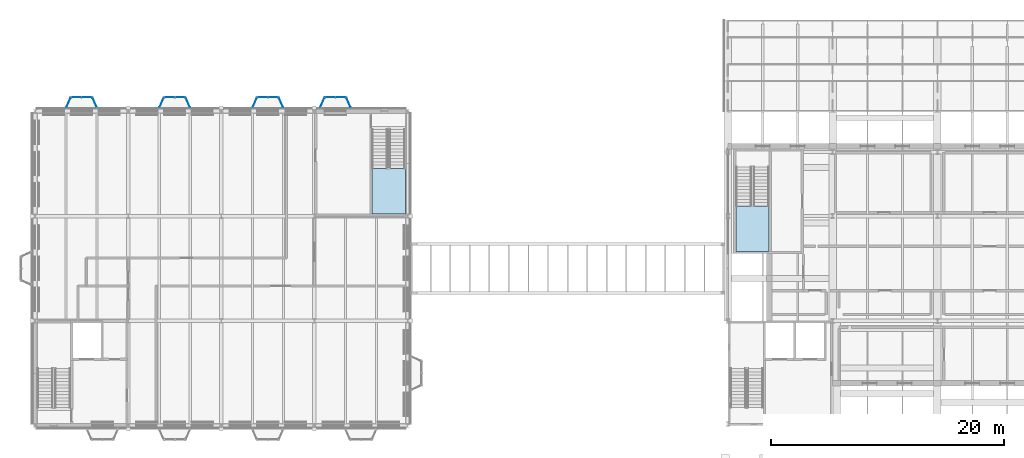
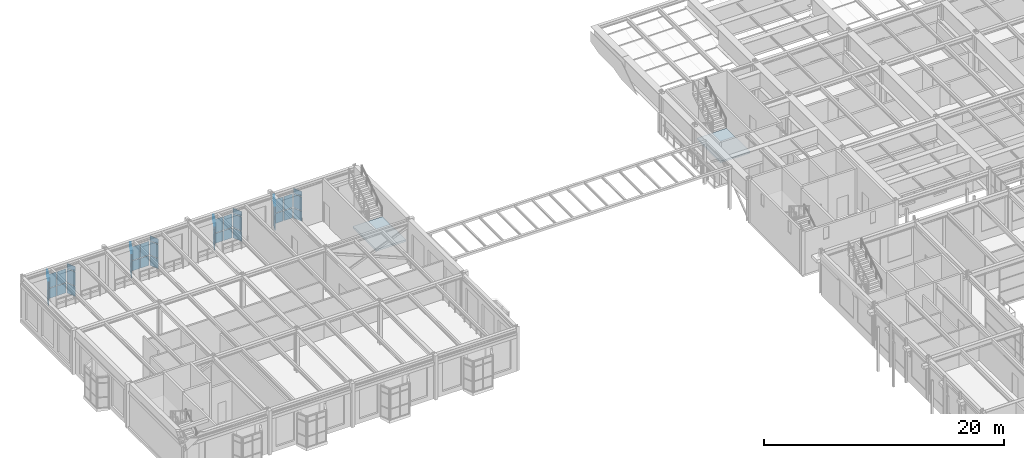
# One storey, part 87 of 153: 40 plates, 2 slabs, 14 elements without a shape of their own.
"""IFC4 building model written with IfcOpenShell, lengths in metres."""

from ifc_helpers import new_model, si_unit, direction, frame, origin, origin_2d, place, context, subcontext, project, spatial, polyline, rectangle, outline, extrude, material, layer, layer_set, type_object, element, aggregate, save


model = new_model("IFC4")

# Units and contexts
model_context = context("Model", 3, precision=1e-05, world=origin(), true_north=direction((0.0, 1.0)))
body_context = subcontext(model_context, "Body", "Model", "MODEL_VIEW")
ifc_project = project(units=[si_unit("LENGTHUNIT", "METRE"), si_unit("AREAUNIT", "SQUARE_METRE"), si_unit("VOLUMEUNIT", "CUBIC_METRE"), si_unit("PLANEANGLEUNIT", "RADIAN"), si_unit("MASSUNIT", "GRAM", prefix="KILO")], contexts=[model_context])

# Site, building, storey
site_placement = place(None, origin())
site = spatial("IfcSite", under=ifc_project, at=site_placement, CompositionType="ELEMENT")
building_placement = place(site_placement, origin())
building = spatial("IfcBuilding", under=site, at=building_placement, Name="Kallimachos Central Library", CompositionType="ELEMENT")
storey_placement = place(building_placement, frame((0.0, 0.0, 5.39990234375)))
storey = spatial("IfcBuildingStorey", under=building, at=storey_placement, Name="L01", CompositionType="ELEMENT", Elevation=5.39990234375)

# Curtain wall, plates
ifc_material_1 = material(Name="Laminated glass in anodised aluminium", Category="aluminium")
curtain_wall_type = type_object("IfcCurtainWallType", Name="Foyer curtain wall", PredefinedType="NOTDEFINED", material=ifc_material_1)
curtain_wall_1_placement = place(storey_placement, origin())
curtain_wall_1 = element("IfcCurtainWall", 1, at=curtain_wall_1_placement, inside=storey, type_object=curtain_wall_type, Name="Tribune bay return west", PredefinedType="NOTDEFINED")
ifc_material_2 = material(Name="Laminated glass", Category="glass")
ifc_layer_1 = layer(ifc_material_2, 0.028076171875)
ifc_layer_set_1 = layer_set([ifc_layer_1], Name="Curtain wall glass panel 28")
plate_type = type_object("IfcPlateType", Name="Curtain wall glass panel 28", PredefinedType="CURTAIN_PANEL", material=ifc_layer_set_1)
plate_1_placement = place(storey_placement, frame((8.875, 114.75, 0.2099609375), z_axis=(0.0, 0.0, 1.0), x_axis=(0.40613846606, 0.913811548617, 0.0)))
plate_1 = element("IfcPlate", 2, at=plate_1_placement, type_object=plate_type, Name="CW panel 1.1", PredefinedType="CURTAIN_PANEL", context=body_context, shape_type="SweptSolid", body=[
    extrude(rectangle(XDim=0.864990234375, YDim=0.028076171875, at=origin_2d()), origin(), (0.0, 0.0, 1.0), 1.010009765625),
])
plate_2_placement = place(storey_placement, frame((8.875, 114.75, 1.2802734375), z_axis=(0.0, 0.0, 1.0), x_axis=(0.40613846606, 0.913811548617, 0.0)))
plate_2 = element("IfcPlate", 3, at=plate_2_placement, type_object=plate_type, Name="CW panel 1.2", PredefinedType="CURTAIN_PANEL", context=body_context, shape_type="SweptSolid", body=[
    extrude(rectangle(XDim=0.864990234375, YDim=0.028076171875, at=origin_2d()), origin(), (0.0, 0.0, 1.0), 1.389892578125),
])
plate_3_placement = place(storey_placement, frame((8.875, 114.75, 2.72998046875), z_axis=(0.0, 0.0, 1.0), x_axis=(0.40613846606, 0.913811548617, 0.0)))
plate_3 = element("IfcPlate", 4, at=plate_3_placement, type_object=plate_type, Name="CW panel 1.3", PredefinedType="CURTAIN_PANEL", context=body_context, shape_type="SweptSolid", body=[
    extrude(rectangle(XDim=0.864990234375, YDim=0.028076171875, at=origin_2d()), origin(), (0.0, 0.0, 1.0), 0.510009765625),
])
aggregate(curtain_wall_1, [plate_1, plate_2, plate_3])

curtain_wall_2_placement = place(storey_placement, origin())
curtain_wall_2 = element("IfcCurtainWall", 5, at=curtain_wall_2_placement, inside=storey, type_object=curtain_wall_type, Name="Tribune bay front", PredefinedType="NOTDEFINED")
plate_4_placement = place(storey_placement, frame((9.552490234375, 115.199951171875, 0.2099609375), z_axis=(0.0, 0.0, 1.0), x_axis=(1.0, 0.0, 0.0)))
plate_4 = element("IfcPlate", 6, at=plate_4_placement, type_object=plate_type, Name="CW panel 1.1", PredefinedType="CURTAIN_PANEL", context=body_context, shape_type="SweptSolid", body=[
    extrude(rectangle(XDim=0.8349609375, YDim=0.028076171875, at=origin_2d()), origin(), (0.0, 0.0, 1.0), 1.010009765625),
])
plate_5_placement = place(storey_placement, frame((9.552490234375, 115.199951171875, 1.2802734375), z_axis=(0.0, 0.0, 1.0), x_axis=(1.0, 0.0, 0.0)))
plate_5 = element("IfcPlate", 7, at=plate_5_placement, type_object=plate_type, Name="CW panel 1.2", PredefinedType="CURTAIN_PANEL", context=body_context, shape_type="SweptSolid", body=[
    extrude(rectangle(XDim=0.8349609375, YDim=0.028076171875, at=origin_2d()), origin(), (0.0, 0.0, 1.0), 1.389892578125),
])
plate_6_placement = place(storey_placement, frame((10.447509765625, 115.199951171875, 0.2099609375), z_axis=(0.0, 0.0, 1.0), x_axis=(1.0, 0.0, 0.0)))
plate_6 = element("IfcPlate", 8, at=plate_6_placement, type_object=plate_type, Name="CW panel 2.1", PredefinedType="CURTAIN_PANEL", context=body_context, shape_type="SweptSolid", body=[
    extrude(rectangle(XDim=0.8349609375, YDim=0.028076171875, at=origin_2d()), origin(), (0.0, 0.0, 1.0), 1.010009765625),
])
plate_7_placement = place(storey_placement, frame((10.447509765625, 115.199951171875, 1.2802734375), z_axis=(0.0, 0.0, 1.0), x_axis=(1.0, 0.0, 0.0)))
plate_7 = element("IfcPlate", 9, at=plate_7_placement, type_object=plate_type, Name="CW panel 2.2", PredefinedType="CURTAIN_PANEL", context=body_context, shape_type="SweptSolid", body=[
    extrude(rectangle(XDim=0.8349609375, YDim=0.028076171875, at=origin_2d()), origin(), (0.0, 0.0, 1.0), 1.389892578125),
])
aggregate(curtain_wall_2, [plate_4, plate_5, plate_6, plate_7])

curtain_wall_3_placement = place(storey_placement, origin())
curtain_wall_3 = element("IfcCurtainWall", 10, at=curtain_wall_3_placement, inside=storey, type_object=curtain_wall_type, Name="Tribune bay return east", PredefinedType="NOTDEFINED")
plate_8_placement = place(storey_placement, frame((11.125, 114.75, 0.2099609375), z_axis=(0.0, 0.0, 1.0), x_axis=(0.40613846606, -0.913811548617, 0.0)))
plate_8 = element("IfcPlate", 11, at=plate_8_placement, type_object=plate_type, Name="CW panel 1.1", PredefinedType="CURTAIN_PANEL", context=body_context, shape_type="SweptSolid", body=[
    extrude(rectangle(XDim=0.864990234375, YDim=0.028076171875, at=origin_2d()), origin(), (0.0, 0.0, 1.0), 1.010009765625),
])
plate_9_placement = place(storey_placement, frame((11.125, 114.75, 1.2802734375), z_axis=(0.0, 0.0, 1.0), x_axis=(0.40613846606, -0.913811548617, 0.0)))
plate_9 = element("IfcPlate", 12, at=plate_9_placement, type_object=plate_type, Name="CW panel 1.2", PredefinedType="CURTAIN_PANEL", context=body_context, shape_type="SweptSolid", body=[
    extrude(rectangle(XDim=0.864990234375, YDim=0.028076171875, at=origin_2d()), origin(), (0.0, 0.0, 1.0), 1.389892578125),
])
plate_10_placement = place(storey_placement, frame((11.125, 114.75, 2.72998046875), z_axis=(0.0, 0.0, 1.0), x_axis=(0.40613846606, -0.913811548617, 0.0)))
plate_10 = element("IfcPlate", 13, at=plate_10_placement, type_object=plate_type, Name="CW panel 1.3", PredefinedType="CURTAIN_PANEL", context=body_context, shape_type="SweptSolid", body=[
    extrude(rectangle(XDim=0.864990234375, YDim=0.028076171875, at=origin_2d()), origin(), (0.0, 0.0, 1.0), 0.510009765625),
])
aggregate(curtain_wall_3, [plate_8, plate_9, plate_10])

curtain_wall_4_placement = place(storey_placement, origin())
curtain_wall_4 = element("IfcCurtainWall", 14, at=curtain_wall_4_placement, inside=storey, type_object=curtain_wall_type, Name="Tribune bay return west", PredefinedType="NOTDEFINED")
plate_11_placement = place(storey_placement, frame((16.875, 114.75, 0.2099609375), z_axis=(0.0, 0.0, 1.0), x_axis=(0.40613846606, 0.913811548617, 0.0)))
plate_11 = element("IfcPlate", 15, at=plate_11_placement, type_object=plate_type, Name="CW panel 1.1", PredefinedType="CURTAIN_PANEL", context=body_context, shape_type="SweptSolid", body=[
    extrude(rectangle(XDim=0.864990234375, YDim=0.028076171875, at=origin_2d()), origin(), (0.0, 0.0, 1.0), 1.010009765625),
])
plate_12_placement = place(storey_placement, frame((16.875, 114.75, 1.2802734375), z_axis=(0.0, 0.0, 1.0), x_axis=(0.40613846606, 0.913811548617, 0.0)))
plate_12 = element("IfcPlate", 16, at=plate_12_placement, type_object=plate_type, Name="CW panel 1.2", PredefinedType="CURTAIN_PANEL", context=body_context, shape_type="SweptSolid", body=[
    extrude(rectangle(XDim=0.864990234375, YDim=0.028076171875, at=origin_2d()), origin(), (0.0, 0.0, 1.0), 1.389892578125),
])
plate_13_placement = place(storey_placement, frame((16.875, 114.75, 2.72998046875), z_axis=(0.0, 0.0, 1.0), x_axis=(0.40613846606, 0.913811548617, 0.0)))
plate_13 = element("IfcPlate", 17, at=plate_13_placement, type_object=plate_type, Name="CW panel 1.3", PredefinedType="CURTAIN_PANEL", context=body_context, shape_type="SweptSolid", body=[
    extrude(rectangle(XDim=0.864990234375, YDim=0.028076171875, at=origin_2d()), origin(), (0.0, 0.0, 1.0), 0.510009765625),
])
aggregate(curtain_wall_4, [plate_11, plate_12, plate_13])

curtain_wall_5_placement = place(storey_placement, origin())
curtain_wall_5 = element("IfcCurtainWall", 18, at=curtain_wall_5_placement, inside=storey, type_object=curtain_wall_type, Name="Tribune bay front", PredefinedType="NOTDEFINED")
plate_14_placement = place(storey_placement, frame((17.552490234375, 115.199951171875, 0.2099609375), z_axis=(0.0, 0.0, 1.0), x_axis=(1.0, 0.0, 0.0)))
plate_14 = element("IfcPlate", 19, at=plate_14_placement, type_object=plate_type, Name="CW panel 1.1", PredefinedType="CURTAIN_PANEL", context=body_context, shape_type="SweptSolid", body=[
    extrude(rectangle(XDim=0.8349609375, YDim=0.028076171875, at=origin_2d()), origin(), (0.0, 0.0, 1.0), 1.010009765625),
])
plate_15_placement = place(storey_placement, frame((17.552490234375, 115.199951171875, 1.2802734375), z_axis=(0.0, 0.0, 1.0), x_axis=(1.0, 0.0, 0.0)))
plate_15 = element("IfcPlate", 20, at=plate_15_placement, type_object=plate_type, Name="CW panel 1.2", PredefinedType="CURTAIN_PANEL", context=body_context, shape_type="SweptSolid", body=[
    extrude(rectangle(XDim=0.8349609375, YDim=0.028076171875, at=origin_2d()), origin(), (0.0, 0.0, 1.0), 1.389892578125),
])
plate_16_placement = place(storey_placement, frame((18.447509765625, 115.199951171875, 0.2099609375), z_axis=(0.0, 0.0, 1.0), x_axis=(1.0, 0.0, 0.0)))
plate_16 = element("IfcPlate", 21, at=plate_16_placement, type_object=plate_type, Name="CW panel 2.1", PredefinedType="CURTAIN_PANEL", context=body_context, shape_type="SweptSolid", body=[
    extrude(rectangle(XDim=0.8349609375, YDim=0.028076171875, at=origin_2d()), origin(), (0.0, 0.0, 1.0), 1.010009765625),
])
plate_17_placement = place(storey_placement, frame((18.447509765625, 115.199951171875, 1.2802734375), z_axis=(0.0, 0.0, 1.0), x_axis=(1.0, 0.0, 0.0)))
plate_17 = element("IfcPlate", 22, at=plate_17_placement, type_object=plate_type, Name="CW panel 2.2", PredefinedType="CURTAIN_PANEL", context=body_context, shape_type="SweptSolid", body=[
    extrude(rectangle(XDim=0.8349609375, YDim=0.028076171875, at=origin_2d()), origin(), (0.0, 0.0, 1.0), 1.389892578125),
])
aggregate(curtain_wall_5, [plate_14, plate_15, plate_16, plate_17])

curtain_wall_6_placement = place(storey_placement, origin())
curtain_wall_6 = element("IfcCurtainWall", 23, at=curtain_wall_6_placement, inside=storey, type_object=curtain_wall_type, Name="Tribune bay return east", PredefinedType="NOTDEFINED")
plate_18_placement = place(storey_placement, frame((19.125, 114.75, 0.2099609375), z_axis=(0.0, 0.0, 1.0), x_axis=(0.40613846606, -0.913811548617, 0.0)))
plate_18 = element("IfcPlate", 24, at=plate_18_placement, type_object=plate_type, Name="CW panel 1.1", PredefinedType="CURTAIN_PANEL", context=body_context, shape_type="SweptSolid", body=[
    extrude(rectangle(XDim=0.864990234375, YDim=0.028076171875, at=origin_2d()), origin(), (0.0, 0.0, 1.0), 1.010009765625),
])
plate_19_placement = place(storey_placement, frame((19.125, 114.75, 1.2802734375), z_axis=(0.0, 0.0, 1.0), x_axis=(0.40613846606, -0.913811548617, 0.0)))
plate_19 = element("IfcPlate", 25, at=plate_19_placement, type_object=plate_type, Name="CW panel 1.2", PredefinedType="CURTAIN_PANEL", context=body_context, shape_type="SweptSolid", body=[
    extrude(rectangle(XDim=0.864990234375, YDim=0.028076171875, at=origin_2d()), origin(), (0.0, 0.0, 1.0), 1.389892578125),
])
plate_20_placement = place(storey_placement, frame((19.125, 114.75, 2.72998046875), z_axis=(0.0, 0.0, 1.0), x_axis=(0.40613846606, -0.913811548617, 0.0)))
plate_20 = element("IfcPlate", 26, at=plate_20_placement, type_object=plate_type, Name="CW panel 1.3", PredefinedType="CURTAIN_PANEL", context=body_context, shape_type="SweptSolid", body=[
    extrude(rectangle(XDim=0.864990234375, YDim=0.028076171875, at=origin_2d()), origin(), (0.0, 0.0, 1.0), 0.510009765625),
])
aggregate(curtain_wall_6, [plate_18, plate_19, plate_20])

curtain_wall_7_placement = place(storey_placement, origin())
curtain_wall_7 = element("IfcCurtainWall", 27, at=curtain_wall_7_placement, inside=storey, type_object=curtain_wall_type, Name="Tribune bay return west", PredefinedType="NOTDEFINED")
plate_21_placement = place(storey_placement, frame((24.875, 114.75, 0.2099609375), z_axis=(0.0, 0.0, 1.0), x_axis=(0.40613846606, 0.913811548617, 0.0)))
plate_21 = element("IfcPlate", 28, at=plate_21_placement, type_object=plate_type, Name="CW panel 1.1", PredefinedType="CURTAIN_PANEL", context=body_context, shape_type="SweptSolid", body=[
    extrude(rectangle(XDim=0.864990234375, YDim=0.028076171875, at=origin_2d()), origin(), (0.0, 0.0, 1.0), 1.010009765625),
])
plate_22_placement = place(storey_placement, frame((24.875, 114.75, 1.2802734375), z_axis=(0.0, 0.0, 1.0), x_axis=(0.40613846606, 0.913811548617, 0.0)))
plate_22 = element("IfcPlate", 29, at=plate_22_placement, type_object=plate_type, Name="CW panel 1.2", PredefinedType="CURTAIN_PANEL", context=body_context, shape_type="SweptSolid", body=[
    extrude(rectangle(XDim=0.864990234375, YDim=0.028076171875, at=origin_2d()), origin(), (0.0, 0.0, 1.0), 1.389892578125),
])
plate_23_placement = place(storey_placement, frame((24.875, 114.75, 2.72998046875), z_axis=(0.0, 0.0, 1.0), x_axis=(0.40613846606, 0.913811548617, 0.0)))
plate_23 = element("IfcPlate", 30, at=plate_23_placement, type_object=plate_type, Name="CW panel 1.3", PredefinedType="CURTAIN_PANEL", context=body_context, shape_type="SweptSolid", body=[
    extrude(rectangle(XDim=0.864990234375, YDim=0.028076171875, at=origin_2d()), origin(), (0.0, 0.0, 1.0), 0.510009765625),
])
aggregate(curtain_wall_7, [plate_21, plate_22, plate_23])

curtain_wall_8_placement = place(storey_placement, origin())
curtain_wall_8 = element("IfcCurtainWall", 31, at=curtain_wall_8_placement, inside=storey, type_object=curtain_wall_type, Name="Tribune bay front", PredefinedType="NOTDEFINED")
plate_24_placement = place(storey_placement, frame((25.552490234375, 115.199951171875, 0.2099609375), z_axis=(0.0, 0.0, 1.0), x_axis=(1.0, 0.0, 0.0)))
plate_24 = element("IfcPlate", 32, at=plate_24_placement, type_object=plate_type, Name="CW panel 1.1", PredefinedType="CURTAIN_PANEL", context=body_context, shape_type="SweptSolid", body=[
    extrude(rectangle(XDim=0.8349609375, YDim=0.028076171875, at=origin_2d()), origin(), (0.0, 0.0, 1.0), 1.010009765625),
])
plate_25_placement = place(storey_placement, frame((25.552490234375, 115.199951171875, 1.2802734375), z_axis=(0.0, 0.0, 1.0), x_axis=(1.0, 0.0, 0.0)))
plate_25 = element("IfcPlate", 33, at=plate_25_placement, type_object=plate_type, Name="CW panel 1.2", PredefinedType="CURTAIN_PANEL", context=body_context, shape_type="SweptSolid", body=[
    extrude(rectangle(XDim=0.8349609375, YDim=0.028076171875, at=origin_2d()), origin(), (0.0, 0.0, 1.0), 1.389892578125),
])
plate_26_placement = place(storey_placement, frame((26.447509765625, 115.199951171875, 0.2099609375), z_axis=(0.0, 0.0, 1.0), x_axis=(1.0, 0.0, 0.0)))
plate_26 = element("IfcPlate", 34, at=plate_26_placement, type_object=plate_type, Name="CW panel 2.1", PredefinedType="CURTAIN_PANEL", context=body_context, shape_type="SweptSolid", body=[
    extrude(rectangle(XDim=0.8349609375, YDim=0.028076171875, at=origin_2d()), origin(), (0.0, 0.0, 1.0), 1.010009765625),
])
plate_27_placement = place(storey_placement, frame((26.447509765625, 115.199951171875, 1.2802734375), z_axis=(0.0, 0.0, 1.0), x_axis=(1.0, 0.0, 0.0)))
plate_27 = element("IfcPlate", 35, at=plate_27_placement, type_object=plate_type, Name="CW panel 2.2", PredefinedType="CURTAIN_PANEL", context=body_context, shape_type="SweptSolid", body=[
    extrude(rectangle(XDim=0.8349609375, YDim=0.028076171875, at=origin_2d()), origin(), (0.0, 0.0, 1.0), 1.389892578125),
])
aggregate(curtain_wall_8, [plate_24, plate_25, plate_26, plate_27])

curtain_wall_9_placement = place(storey_placement, origin())
curtain_wall_9 = element("IfcCurtainWall", 36, at=curtain_wall_9_placement, inside=storey, type_object=curtain_wall_type, Name="Tribune bay return east", PredefinedType="NOTDEFINED")
plate_28_placement = place(storey_placement, frame((27.125, 114.75, 0.2099609375), z_axis=(0.0, 0.0, 1.0), x_axis=(0.40613846606, -0.913811548617, 0.0)))
plate_28 = element("IfcPlate", 37, at=plate_28_placement, type_object=plate_type, Name="CW panel 1.1", PredefinedType="CURTAIN_PANEL", context=body_context, shape_type="SweptSolid", body=[
    extrude(rectangle(XDim=0.864990234375, YDim=0.028076171875, at=origin_2d()), origin(), (0.0, 0.0, 1.0), 1.010009765625),
])
plate_29_placement = place(storey_placement, frame((27.125, 114.75, 1.2802734375), z_axis=(0.0, 0.0, 1.0), x_axis=(0.40613846606, -0.913811548617, 0.0)))
plate_29 = element("IfcPlate", 38, at=plate_29_placement, type_object=plate_type, Name="CW panel 1.2", PredefinedType="CURTAIN_PANEL", context=body_context, shape_type="SweptSolid", body=[
    extrude(rectangle(XDim=0.864990234375, YDim=0.028076171875, at=origin_2d()), origin(), (0.0, 0.0, 1.0), 1.389892578125),
])
plate_30_placement = place(storey_placement, frame((27.125, 114.75, 2.72998046875), z_axis=(0.0, 0.0, 1.0), x_axis=(0.40613846606, -0.913811548617, 0.0)))
plate_30 = element("IfcPlate", 39, at=plate_30_placement, type_object=plate_type, Name="CW panel 1.3", PredefinedType="CURTAIN_PANEL", context=body_context, shape_type="SweptSolid", body=[
    extrude(rectangle(XDim=0.864990234375, YDim=0.028076171875, at=origin_2d()), origin(), (0.0, 0.0, 1.0), 0.510009765625),
])
aggregate(curtain_wall_9, [plate_28, plate_29, plate_30])

curtain_wall_10_placement = place(storey_placement, origin())
curtain_wall_10 = element("IfcCurtainWall", 40, at=curtain_wall_10_placement, inside=storey, type_object=curtain_wall_type, Name="Tribune bay return west", PredefinedType="NOTDEFINED")
plate_31_placement = place(storey_placement, frame((30.675048828125, 114.75, 0.2099609375), z_axis=(0.0, 0.0, 1.0), x_axis=(0.40613846606, 0.913811548617, 0.0)))
plate_31 = element("IfcPlate", 41, at=plate_31_placement, type_object=plate_type, Name="CW panel 1.1", PredefinedType="CURTAIN_PANEL", context=body_context, shape_type="SweptSolid", body=[
    extrude(rectangle(XDim=0.864990234375, YDim=0.028076171875, at=origin_2d()), origin(), (0.0, 0.0, 1.0), 1.010009765625),
])
plate_32_placement = place(storey_placement, frame((30.675048828125, 114.75, 1.2802734375), z_axis=(0.0, 0.0, 1.0), x_axis=(0.40613846606, 0.913811548617, 0.0)))
plate_32 = element("IfcPlate", 42, at=plate_32_placement, type_object=plate_type, Name="CW panel 1.2", PredefinedType="CURTAIN_PANEL", context=body_context, shape_type="SweptSolid", body=[
    extrude(rectangle(XDim=0.864990234375, YDim=0.028076171875, at=origin_2d()), origin(), (0.0, 0.0, 1.0), 1.389892578125),
])
plate_33_placement = place(storey_placement, frame((30.675048828125, 114.75, 2.72998046875), z_axis=(0.0, 0.0, 1.0), x_axis=(0.40613846606, 0.913811548617, 0.0)))
plate_33 = element("IfcPlate", 43, at=plate_33_placement, type_object=plate_type, Name="CW panel 1.3", PredefinedType="CURTAIN_PANEL", context=body_context, shape_type="SweptSolid", body=[
    extrude(rectangle(XDim=0.864990234375, YDim=0.028076171875, at=origin_2d()), origin(), (0.0, 0.0, 1.0), 0.510009765625),
])
aggregate(curtain_wall_10, [plate_31, plate_32, plate_33])

curtain_wall_11_placement = place(storey_placement, origin())
curtain_wall_11 = element("IfcCurtainWall", 44, at=curtain_wall_11_placement, inside=storey, type_object=curtain_wall_type, Name="Tribune bay front", PredefinedType="NOTDEFINED")
plate_34_placement = place(storey_placement, frame((31.3525390625, 115.199951171875, 0.2099609375), z_axis=(0.0, 0.0, 1.0), x_axis=(1.0, 0.0, 0.0)))
plate_34 = element("IfcPlate", 45, at=plate_34_placement, type_object=plate_type, Name="CW panel 1.1", PredefinedType="CURTAIN_PANEL", context=body_context, shape_type="SweptSolid", body=[
    extrude(rectangle(XDim=0.8349609375, YDim=0.028076171875, at=origin_2d()), origin(), (0.0, 0.0, 1.0), 1.010009765625),
])
plate_35_placement = place(storey_placement, frame((31.3525390625, 115.199951171875, 1.2802734375), z_axis=(0.0, 0.0, 1.0), x_axis=(1.0, 0.0, 0.0)))
plate_35 = element("IfcPlate", 46, at=plate_35_placement, type_object=plate_type, Name="CW panel 1.2", PredefinedType="CURTAIN_PANEL", context=body_context, shape_type="SweptSolid", body=[
    extrude(rectangle(XDim=0.8349609375, YDim=0.028076171875, at=origin_2d()), origin(), (0.0, 0.0, 1.0), 1.389892578125),
])
plate_36_placement = place(storey_placement, frame((32.24755859375, 115.199951171875, 0.2099609375), z_axis=(0.0, 0.0, 1.0), x_axis=(1.0, 0.0, 0.0)))
plate_36 = element("IfcPlate", 47, at=plate_36_placement, type_object=plate_type, Name="CW panel 2.1", PredefinedType="CURTAIN_PANEL", context=body_context, shape_type="SweptSolid", body=[
    extrude(rectangle(XDim=0.8349609375, YDim=0.028076171875, at=origin_2d()), origin(), (0.0, 0.0, 1.0), 1.010009765625),
])
plate_37_placement = place(storey_placement, frame((32.24755859375, 115.199951171875, 1.2802734375), z_axis=(0.0, 0.0, 1.0), x_axis=(1.0, 0.0, 0.0)))
plate_37 = element("IfcPlate", 48, at=plate_37_placement, type_object=plate_type, Name="CW panel 2.2", PredefinedType="CURTAIN_PANEL", context=body_context, shape_type="SweptSolid", body=[
    extrude(rectangle(XDim=0.8349609375, YDim=0.028076171875, at=origin_2d()), origin(), (0.0, 0.0, 1.0), 1.389892578125),
])
aggregate(curtain_wall_11, [plate_34, plate_35, plate_36, plate_37])

curtain_wall_12_placement = place(storey_placement, origin())
curtain_wall_12 = element("IfcCurtainWall", 49, at=curtain_wall_12_placement, inside=storey, type_object=curtain_wall_type, Name="Tribune bay return east", PredefinedType="NOTDEFINED")
plate_38_placement = place(storey_placement, frame((32.925048828125, 114.75, 0.2099609375), z_axis=(0.0, 0.0, 1.0), x_axis=(0.40613846606, -0.913811548617, 0.0)))
plate_38 = element("IfcPlate", 50, at=plate_38_placement, type_object=plate_type, Name="CW panel 1.1", PredefinedType="CURTAIN_PANEL", context=body_context, shape_type="SweptSolid", body=[
    extrude(rectangle(XDim=0.864990234375, YDim=0.028076171875, at=origin_2d()), origin(), (0.0, 0.0, 1.0), 1.010009765625),
])
plate_39_placement = place(storey_placement, frame((32.925048828125, 114.75, 1.2802734375), z_axis=(0.0, 0.0, 1.0), x_axis=(0.40613846606, -0.913811548617, 0.0)))
plate_39 = element("IfcPlate", 51, at=plate_39_placement, type_object=plate_type, Name="CW panel 1.2", PredefinedType="CURTAIN_PANEL", context=body_context, shape_type="SweptSolid", body=[
    extrude(rectangle(XDim=0.864990234375, YDim=0.028076171875, at=origin_2d()), origin(), (0.0, 0.0, 1.0), 1.389892578125),
])
plate_40_placement = place(storey_placement, frame((32.925048828125, 114.75, 2.72998046875), z_axis=(0.0, 0.0, 1.0), x_axis=(0.40613846606, -0.913811548617, 0.0)))
plate_40 = element("IfcPlate", 52, at=plate_40_placement, type_object=plate_type, Name="CW panel 1.3", PredefinedType="CURTAIN_PANEL", context=body_context, shape_type="SweptSolid", body=[
    extrude(rectangle(XDim=0.864990234375, YDim=0.028076171875, at=origin_2d()), origin(), (0.0, 0.0, 1.0), 0.510009765625),
])
aggregate(curtain_wall_12, [plate_38, plate_39, plate_40])

# Stair, slab
ifc_material_3 = material(Name="Steel S355J2", Category="steel")
stair_type_1 = type_object("IfcStairType", Name="Escape stair half-turn", PredefinedType="HALF_TURN_STAIR", material=ifc_material_3)
stair_1_placement = place(storey_placement, origin())
stair_1 = element("IfcStair", 53, at=stair_1_placement, inside=storey, type_object=stair_type_1, Name="L01 stair ST6", PredefinedType="HALF_TURN_STAIR")
ifc_material_4 = material(Name="Concrete C30/37", Category="concrete")
ifc_layer_2 = layer(ifc_material_4, 0.199951171875)
ifc_layer_set_2 = layer_set([ifc_layer_2], Name="Stair landing 200")
slab_type_1 = type_object("IfcSlabType", Name="Stair landing 200", PredefinedType="LANDING", material=ifc_layer_set_2)
slab_1_placement = place(storey_placement, frame((0.0, 0.0, 2.050048828125)))
slab_1 = element("IfcSlab", 54, at=slab_1_placement, type_object=slab_type_1, Name="ST6 landing 1", PredefinedType="LANDING", context=body_context, shape_type="SweptSolid", body=[
    extrude(outline(polyline([(34.949951171875, 109.090087890625), (34.949951171875, 105.199951171875), (37.800048828125, 105.199951171875), (37.800048828125, 109.090087890625), (34.949951171875, 109.090087890625)])), origin(), (0.0, 0.0, 1.0), 0.199951171875),
])
aggregate(stair_1, [slab_1])

ifc_material_5 = material(Name="Steel S355J2", Category="steel")
stair_type_2 = type_object("IfcStairType", Name="Steel half-turn stair 1350", PredefinedType="HALF_TURN_STAIR", material=ifc_material_5)
stair_2_placement = place(storey_placement, origin())
stair_2 = element("IfcStair", 55, at=stair_2_placement, inside=storey, type_object=stair_type_2, Name="L01 stair ST3", PredefinedType="HALF_TURN_STAIR")
ifc_material_6 = material(Name="Concrete C30/37", Category="concrete")
ifc_layer_3 = layer(ifc_material_6, 0.199951171875)
ifc_layer_set_3 = layer_set([ifc_layer_3], Name="Stair landing slab 200")
slab_type_2 = type_object("IfcSlabType", Name="Stair landing slab 200", PredefinedType="LANDING", material=ifc_layer_set_3)
slab_2_placement = place(storey_placement, frame((0.0, 0.0, 2.050048828125)))
slab_2 = element("IfcSlab", 56, at=slab_2_placement, type_object=slab_type_2, Name="ST3 landing 1", PredefinedType="LANDING", context=body_context, shape_type="SweptSolid", body=[
    extrude(outline(polyline([(66.199951171875, 105.864990234375), (66.199951171875, 101.97509765625), (69.050048828125, 101.97509765625), (69.050048828125, 105.864990234375), (66.199951171875, 105.864990234375)])), origin(), (0.0, 0.0, 1.0), 0.199951171875),
])
aggregate(stair_2, [slab_2])

save(model, "model.ifc")
